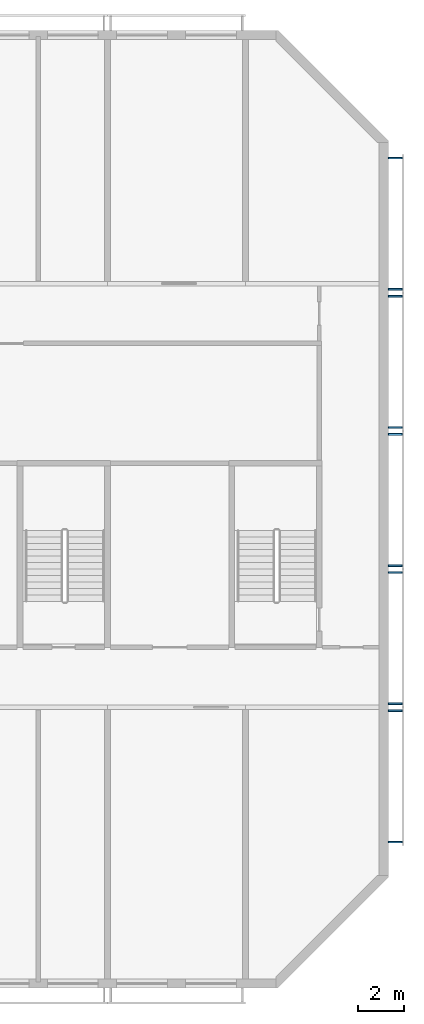
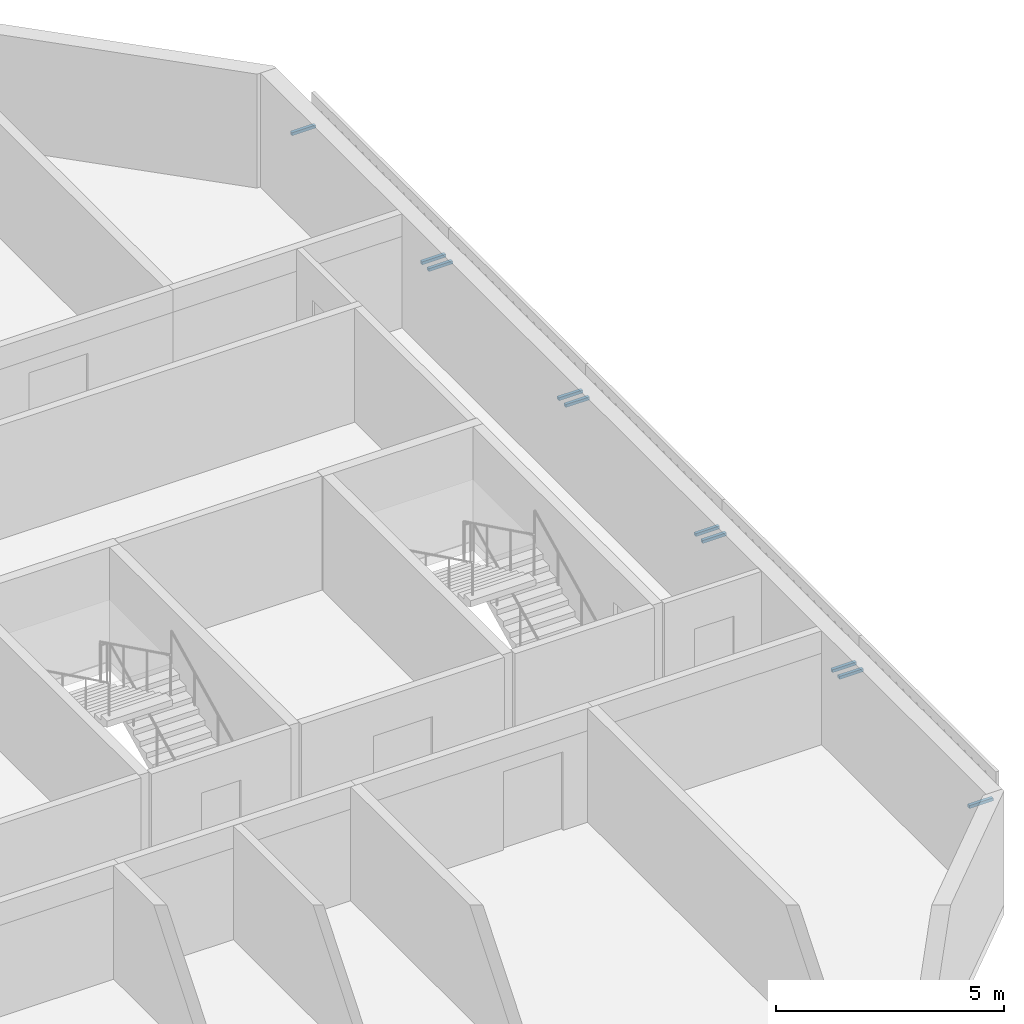
# One storey, part 6 of 18: 10 discrete accessories.
"""IFC4 building model written with IfcOpenShell, lengths in metres."""

from ifc_helpers import new_model, si_unit, direction, frame, origin, origin_2d, place, context, subcontext, project, spatial, rectangle, extrude, source, transform, mapped, material, material_profile, profile_set, type_object, element, save


model = new_model("IFC4")

# Units and contexts
model_context = context("Model", 3, precision=1e-05, world=origin(), true_north=direction((0.0, 1.0)))
body_context = subcontext(model_context, "Body", "Model", "MODEL_VIEW")
ifc_project = project(units=[si_unit("LENGTHUNIT", "METRE"), si_unit("AREAUNIT", "SQUARE_METRE"), si_unit("VOLUMEUNIT", "CUBIC_METRE"), si_unit("PLANEANGLEUNIT", "RADIAN"), si_unit("MASSUNIT", "GRAM", prefix="KILO")], contexts=[model_context])

# Site, building, storey
site_placement = place(None, origin())
site = spatial("IfcSite", under=ifc_project, at=site_placement, CompositionType="ELEMENT")
building_placement = place(site_placement, origin())
building = spatial("IfcBuilding", under=site, at=building_placement, Name="Poui Terraces", CompositionType="ELEMENT")
storey_placement = place(building_placement, frame((0.0, 0.0, 272.39990234375)))
storey = spatial("IfcBuildingStorey", under=building, at=storey_placement, Name="L75 CROWN", CompositionType="ELEMENT", Elevation=272.39990234375)

# Discrete accessories
ifc_material = material(Name="Galvanised steel", Category="steel")
ifc_material_profile = material_profile(ifc_material, rectangle(XDim=0.080078125, YDim=0.080078125, at=origin_2d()), Name="SCREEN BRACKET 80")
ifc_profile_set = profile_set([ifc_material_profile], Name="Galvanised steel")
discrete_accessory_type = type_object("IfcDiscreteAccessoryType", Name="SCREEN BRACKET 80", PredefinedType="BRACKET", material=ifc_profile_set)
shared_shape = source(origin(), body_context, "Body", "SweptSolid", [
    extrude(rectangle(XDim=0.080078125, YDim=0.080078125, at=origin_2d()), origin(), (0.0, 0.0, 1.0), 0.60009765625),
])
for number, where, z_axis, x_axis, name in (
    (1, (84.199951171875, 6.14990234375, 1.7001953125), (1.0, 0.0, 0.0), (0.0, 1.0, 0.0), "SCREEN BRACKET"),
    (2, (84.199951171875, 11.85009765625, 1.7001953125), (1.0, 0.0, 0.0), (0.0, 1.0, 0.0), "SCREEN BRACKET"),
    (3, (84.199951171875, 12.14990234375, 1.7001953125), (1.0, 0.0, 0.0), (0.0, 1.0, 0.0), "SCREEN BRACKET"),
    (4, (84.199951171875, 17.85009765625, 1.7001953125), (1.0, 0.0, 0.0), (0.0, 1.0, 0.0), "SCREEN BRACKET"),
    (5, (84.199951171875, 18.14990234375, 1.7001953125), (1.0, 0.0, 0.0), (0.0, 1.0, 0.0), "SCREEN BRACKET"),
    (6, (84.199951171875, 23.85009765625, 1.7001953125), (1.0, 0.0, 0.0), (0.0, 1.0, 0.0), "SCREEN BRACKET"),
    (7, (84.199951171875, 24.14990234375, 1.7001953125), (1.0, 0.0, 0.0), (0.0, 1.0, 0.0), "SCREEN BRACKET"),
    (8, (84.199951171875, 29.85009765625, 1.7001953125), (1.0, 0.0, 0.0), (0.0, 1.0, 0.0), "SCREEN BRACKET"),
    (9, (84.199951171875, 30.14990234375, 1.7001953125), (1.0, 0.0, 0.0), (0.0, 1.0, 0.0), "SCREEN BRACKET"),
    (10, (84.199951171875, 35.85009765625, 1.7001953125), (1.0, 0.0, 0.0), (0.0, 1.0, 0.0), "SCREEN BRACKET"),
):
    element("IfcDiscreteAccessory", number, at=place(storey_placement, frame(where, z_axis=z_axis, x_axis=x_axis)), inside=storey, type_object=discrete_accessory_type, Name=name, PredefinedType="BRACKET", context=body_context, shape_type="MappedRepresentation", body=[
        mapped(shared_shape, transform((0.0, 0.0, 0.0))),
    ])

save(model, "model.ifc")
